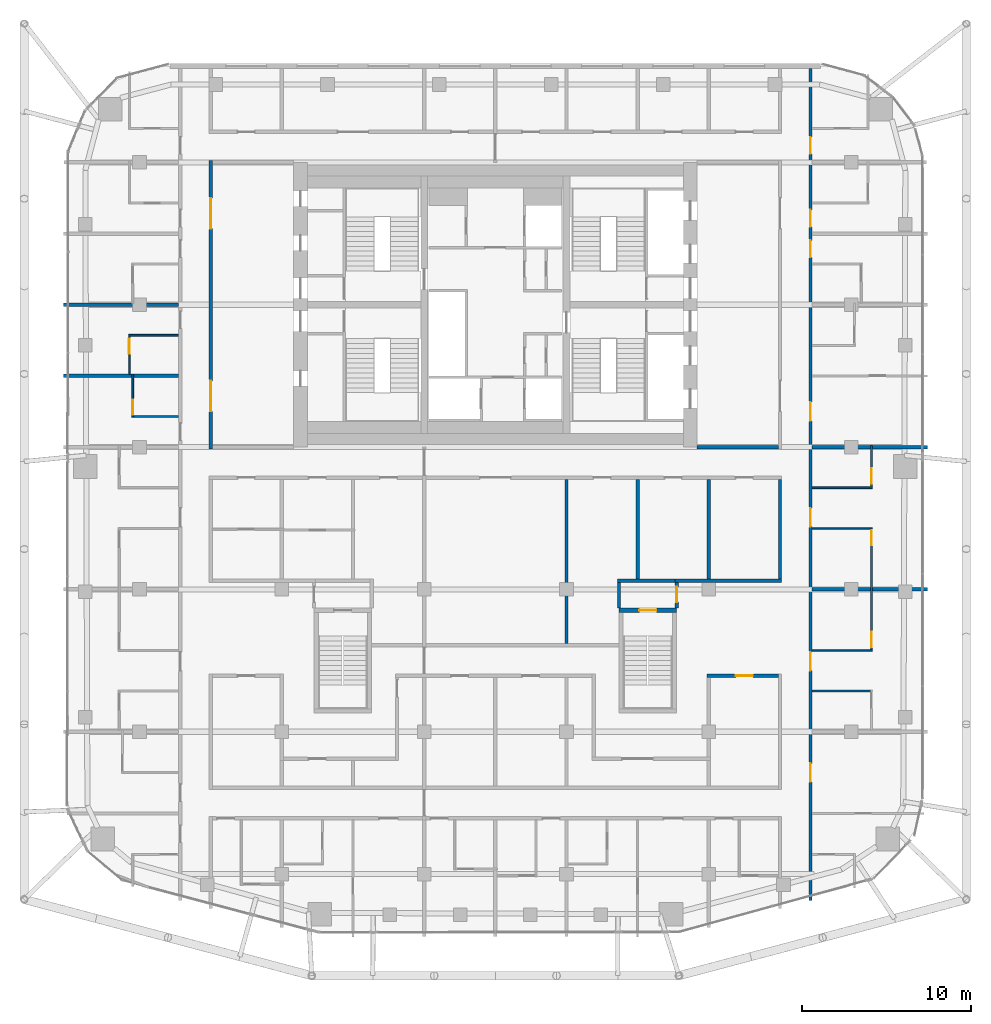
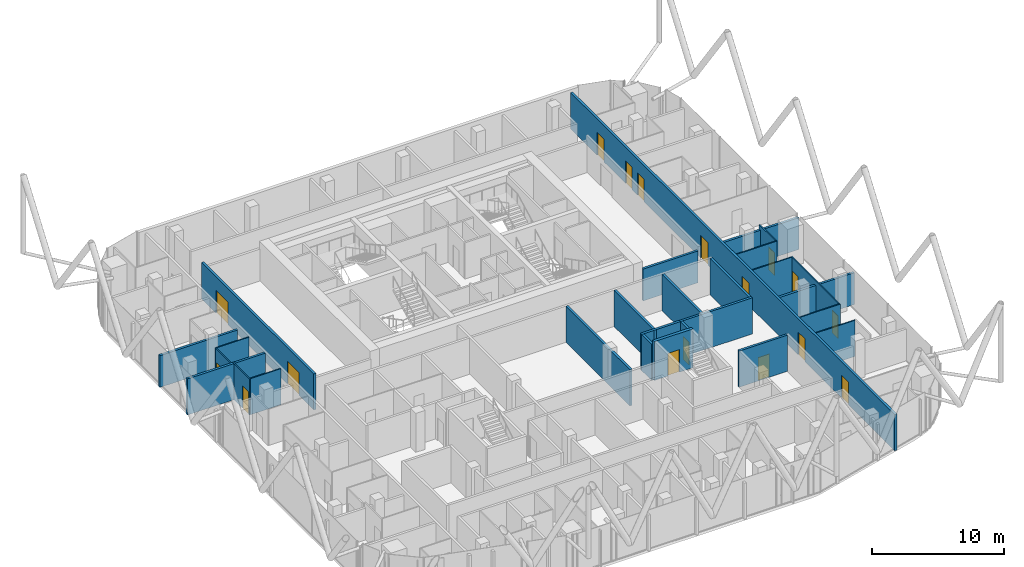
# One storey, part 26 of 31: 27 walls, 17 doors, 17 openings.
"""IFC4 building model written with IfcOpenShell, lengths in metres."""

from ifc_helpers import new_model, si_unit, direction, frame, frame_2d, origin, place, context, subcontext, project, spatial, rectangle, extrude, material, layer, layer_set, type_object, element, fill, save


model = new_model("IFC4")

# Units and contexts
model_context = context("Model", 3, precision=1e-05, world=origin(), true_north=direction((0.0, 1.0)))
body_context = subcontext(model_context, "Body", "Model", "MODEL_VIEW")
ifc_project = project(units=[si_unit("LENGTHUNIT", "METRE"), si_unit("AREAUNIT", "SQUARE_METRE"), si_unit("VOLUMEUNIT", "CUBIC_METRE"), si_unit("PLANEANGLEUNIT", "RADIAN"), si_unit("MASSUNIT", "GRAM", prefix="KILO")], contexts=[model_context])

# Site, building, storey
site_placement = place(None, origin())
site = spatial("IfcSite", under=ifc_project, at=site_placement, CompositionType="ELEMENT")
building_placement = place(site_placement, origin())
building = spatial("IfcBuilding", under=site, at=building_placement, Name="Marenta Gate Hotel Tower", CompositionType="ELEMENT")
storey_placement = place(building_placement, frame((0.0, 0.0, 234.5)))
storey = spatial("IfcBuildingStorey", under=building, at=storey_placement, Name="L55", CompositionType="ELEMENT", Elevation=234.5)

# Wall, openings, doors
ifc_material_1 = material(Name="Concrete blockwork", Category="masonry")
ifc_layer_1 = layer(ifc_material_1, 0.199951171875)
ifc_layer_set_1 = layer_set([ifc_layer_1], Name="Concrete blockwork")
wall_type_1 = type_object("IfcWallType", Name="Core boundary wall 200 REI 180", PredefinedType="PARTITIONING", material=ifc_layer_set_1)
wall_1_placement = place(storey_placement, frame((-16.800048828125, -0.10009765625, 0.0), z_axis=(0.0, 0.0, 1.0), x_axis=(0.0, 1.0, 0.0)))
wall_1 = element("IfcWall", 1, at=wall_1_placement, inside=storey, type_object=wall_type_1, Name="L55-CP-BW-W", PredefinedType="PARTITIONING", context=body_context, shape_type="SweptSolid", body=[
    extrude(rectangle(XDim=17.0, YDim=0.199951171875, at=frame_2d((8.5, 0.0))), origin(), (0.0, 0.0, 1.0), 3.340087890625),
])
opening_1_placement = place(wall_1_placement, frame((2.199951171875, 0.0, 0.0)))
opening_1 = element("IfcOpeningElement", 2, at=opening_1_placement, cuts=wall_1, Name="Opening ED-Wa-B", PredefinedType="OPENING", context=body_context, shape_type="SweptSolid", body=[
    extrude(rectangle(XDim=1.800048828125, YDim=2.10009765625, at=frame_2d((0.89990234375, 1.050048828125))), frame((0.0, 0.10009765625, 0.0), z_axis=(0.0, -1.0, 0.0), x_axis=(1.0, 0.0, 0.0)), (0.0, 0.0, 1.0), 0.199951171875),
])
opening_2_placement = place(wall_1_placement, frame((13.0, 0.0, 0.0)))
opening_2 = element("IfcOpeningElement", 3, at=opening_2_placement, cuts=wall_1, Name="Opening ED-Wb-B", PredefinedType="OPENING", context=body_context, shape_type="SweptSolid", body=[
    extrude(rectangle(XDim=1.800048828125, YDim=2.10009765625, at=frame_2d((0.89990234375, 1.050048828125))), frame((0.0, 0.10009765625, 0.0), z_axis=(0.0, -1.0, 0.0), x_axis=(1.0, 0.0, 0.0)), (0.0, 0.0, 1.0), 0.199951171875),
])
ifc_material_2 = material(Name="Steel", Category="steel")
door_type_1 = type_object("IfcDoorType", Name="Core lobby entrance door 1800x2100 EI 60", OperationType="DOUBLE_DOOR_SINGLE_SWING", PredefinedType="DOOR", material=ifc_material_2)
door_1_placement = place(opening_1_placement, origin())
door_1 = element("IfcDoor", 4, at=door_1_placement, inside=storey, type_object=door_type_1, Name="ED-Wa-B", OperationType="DOUBLE_DOOR_SINGLE_SWING", OverallHeight=2.10009765625, OverallWidth=1.800048828125, PredefinedType="DOOR", context=body_context, shape_type="SweptSolid", body=[
    extrude(rectangle(XDim=1.800048828125, YDim=2.10009765625, at=frame_2d((0.89990234375, 1.050048828125))), frame((0.0, 0.02490234375, 0.0), z_axis=(0.0, -1.0, 0.0), x_axis=(1.0, 0.0, 0.0)), (0.0, 0.0, 1.0), 0.050048828125),
])
fill(opening_1, door_1)
door_2_placement = place(opening_2_placement, origin())
door_2 = element("IfcDoor", 5, at=door_2_placement, inside=storey, type_object=door_type_1, Name="ED-Wb-B", OperationType="DOUBLE_DOOR_SINGLE_SWING", OverallHeight=2.10009765625, OverallWidth=1.800048828125, PredefinedType="DOOR", context=body_context, shape_type="SweptSolid", body=[
    extrude(rectangle(XDim=1.800048828125, YDim=2.10009765625, at=frame_2d((0.89990234375, 1.050048828125))), frame((0.0, 0.02490234375, 0.0), z_axis=(0.0, -1.0, 0.0), x_axis=(1.0, 0.0, 0.0)), (0.0, 0.0, 1.0), 0.050048828125),
])
fill(opening_2, door_2)

# Wall
wall_2_placement = place(storey_placement, frame((11.89990234375, 0.0, 0.0), z_axis=(0.0, 0.0, 1.0), x_axis=(1.0, 0.0, 0.0)))
element("IfcWall", 6, at=wall_2_placement, inside=storey, type_object=wall_type_1, Name="L55-CP-EW-ES", PredefinedType="PARTITIONING", context=body_context, shape_type="SweptSolid", body=[
    extrude(rectangle(XDim=4.800048828125, YDim=0.199951171875, at=frame_2d((2.39990234375, 0.0))), origin(), (0.0, 0.0, 1.0), 2.93994140625),
])

# Wall, opening, door
ifc_material_3 = material(Name="Concrete C40", Category="concrete")
ifc_layer_2 = layer(ifc_material_3, 0.25)
ifc_layer_set_2 = layer_set([ifc_layer_2], Name="Concrete C40")
wall_type_2 = type_object("IfcWallType", Name="Remote stair enclosure wall 250 REI 180", PredefinedType="SHEAR", material=ifc_layer_set_2)
wall_3_placement = place(storey_placement, frame((7.300048828125, -9.625, 0.10009765625), z_axis=(0.0, 0.0, 1.0), x_axis=(1.0, 0.0, 0.0)))
wall_3 = element("IfcWall", 7, at=wall_3_placement, inside=storey, type_object=wall_type_2, Name="L55-RS-Z3-2-W2", PredefinedType="SHEAR", context=body_context, shape_type="SweptSolid", body=[
    extrude(rectangle(XDim=3.39990234375, YDim=0.25, at=frame_2d((1.699951171875, 0.0))), origin(), (0.0, 0.0, 1.0), 3.599853515625),
])
opening_3_placement = place(wall_3_placement, frame((1.199951171875, 0.0, 0.0)))
opening_3 = element("IfcOpeningElement", 8, at=opening_3_placement, cuts=wall_3, Name="Opening VD", PredefinedType="OPENING", context=body_context, shape_type="SweptSolid", body=[
    extrude(rectangle(XDim=1.0, YDim=2.10009765625, at=frame_2d((0.5, 1.050048828125))), frame((0.0, 0.125, 0.0), z_axis=(0.0, -1.0, 0.0), x_axis=(1.0, 0.0, 0.0)), (0.0, 0.0, 1.0), 0.25),
])
ifc_material_4 = material(Name="Steel", Category="steel")
door_type_2 = type_object("IfcDoorType", Name="Stair vestibule door 1000x2100 FD60", OperationType="SINGLE_SWING_LEFT", PredefinedType="DOOR", material=ifc_material_4)
door_3_placement = place(opening_3_placement, origin())
door_3 = element("IfcDoor", 9, at=door_3_placement, inside=storey, type_object=door_type_2, Name="VD", OperationType="SINGLE_SWING_LEFT", OverallHeight=2.10009765625, OverallWidth=1.0, PredefinedType="DOOR", context=body_context, shape_type="SweptSolid", body=[
    extrude(rectangle(XDim=1.0, YDim=2.10009765625, at=frame_2d((0.5, 1.050048828125))), frame((0.0, 0.02490234375, 0.0), z_axis=(0.0, -1.0, 0.0), x_axis=(1.0, 0.0, 0.0)), (0.0, 0.0, 1.0), 0.050048828125),
])
fill(opening_3, door_3)

# Wall, openings, doors
ifc_material_5 = material(Name="Gypsum board on steel stud", Category="steel")
ifc_layer_3 = layer(ifc_material_5, 0.199951171875)
ifc_layer_set_3 = layer_set([ifc_layer_3], Name="Gypsum board on steel stud")
wall_type_3 = type_object("IfcWallType", Name="Room corridor wall 200 EI 60", PredefinedType="PARTITIONING", material=ifc_layer_set_3)
wall_4_placement = place(storey_placement, frame((18.60009765625, -26.7509765625, 0.0), z_axis=(0.0, 0.0, 1.0), x_axis=(0.0, 1.0, 0.0)))
wall_4 = element("IfcWall", 10, at=wall_4_placement, inside=storey, type_object=wall_type_3, Name="L55-PTN-W023", PredefinedType="PARTITIONING", context=body_context, shape_type="SweptSolid", body=[
    extrude(rectangle(XDim=49.091064453125, YDim=0.199951171875, at=frame_2d((24.54541015625, 0.0))), origin(), (0.0, 0.0, 1.0), 3.340087890625),
])
opening_4_placement = place(wall_4_placement, frame((6.988037109375, 0.0, 0.0)))
opening_4 = element("IfcOpeningElement", 11, at=opening_4_placement, cuts=wall_4, Name="Opening G20-17", PredefinedType="OPENING", context=body_context, shape_type="SweptSolid", body=[
    extrude(rectangle(XDim=1.10009765625, YDim=2.10009765625, at=frame_2d((0.550048828125, 1.050048828125))), frame((0.0, 0.10009765625, 0.0), z_axis=(0.0, -1.0, 0.0), x_axis=(1.0, 0.0, 0.0)), (0.0, 0.0, 1.0), 0.199951171875),
])
opening_5_placement = place(wall_4_placement, frame((13.551025390625, 0.0, 0.0)))
opening_5 = element("IfcOpeningElement", 12, at=opening_5_placement, cuts=wall_4, Name="Opening G20-20", PredefinedType="OPENING", context=body_context, shape_type="SweptSolid", body=[
    extrude(rectangle(XDim=1.10009765625, YDim=2.10009765625, at=frame_2d((0.550048828125, 1.050048828125))), frame((0.0, 0.10009765625, 0.0), z_axis=(0.0, -1.0, 0.0), x_axis=(1.0, 0.0, 0.0)), (0.0, 0.0, 1.0), 0.199951171875),
])
opening_6_placement = place(wall_4_placement, frame((22.051025390625, 0.0, 0.0)))
opening_6 = element("IfcOpeningElement", 13, at=opening_6_placement, cuts=wall_4, Name="Opening G20-23", PredefinedType="OPENING", context=body_context, shape_type="SweptSolid", body=[
    extrude(rectangle(XDim=1.10009765625, YDim=2.10009765625, at=frame_2d((0.550048828125, 1.050048828125))), frame((0.0, 0.10009765625, 0.0), z_axis=(0.0, -1.0, 0.0), x_axis=(1.0, 0.0, 0.0)), (0.0, 0.0, 1.0), 0.199951171875),
])
opening_7_placement = place(wall_4_placement, frame((28.301025390625, 0.0, 0.0)))
opening_7 = element("IfcOpeningElement", 14, at=opening_7_placement, cuts=wall_4, Name="Opening G20-26", PredefinedType="OPENING", context=body_context, shape_type="SweptSolid", body=[
    extrude(rectangle(XDim=1.10009765625, YDim=2.10009765625, at=frame_2d((0.550048828125, 1.050048828125))), frame((0.0, 0.10009765625, 0.0), z_axis=(0.0, -1.0, 0.0), x_axis=(1.0, 0.0, 0.0)), (0.0, 0.0, 1.0), 0.199951171875),
])
opening_8_placement = place(wall_4_placement, frame((37.950927734375, 0.0, 0.0)))
opening_8 = element("IfcOpeningElement", 15, at=opening_8_placement, cuts=wall_4, Name="Opening G20-29", PredefinedType="OPENING", context=body_context, shape_type="SweptSolid", body=[
    extrude(rectangle(XDim=1.0, YDim=2.10009765625, at=frame_2d((0.5, 1.050048828125))), frame((0.0, 0.10009765625, 0.0), z_axis=(0.0, -1.0, 0.0), x_axis=(1.0, 0.0, 0.0)), (0.0, 0.0, 1.0), 0.199951171875),
])
opening_9_placement = place(wall_4_placement, frame((39.7509765625, 0.0, 0.0)))
opening_9 = element("IfcOpeningElement", 16, at=opening_9_placement, cuts=wall_4, Name="Opening G20-31", PredefinedType="OPENING", context=body_context, shape_type="SweptSolid", body=[
    extrude(rectangle(XDim=1.0, YDim=2.10009765625, at=frame_2d((0.5, 1.050048828125))), frame((0.0, 0.10009765625, 0.0), z_axis=(0.0, -1.0, 0.0), x_axis=(1.0, 0.0, 0.0)), (0.0, 0.0, 1.0), 0.199951171875),
])
opening_10_placement = place(wall_4_placement, frame((44.051025390625, 0.0, 0.0)))
opening_10 = element("IfcOpeningElement", 17, at=opening_10_placement, cuts=wall_4, Name="Opening G20-33", PredefinedType="OPENING", context=body_context, shape_type="SweptSolid", body=[
    extrude(rectangle(XDim=1.0, YDim=2.10009765625, at=frame_2d((0.5, 1.050048828125))), frame((0.0, 0.10009765625, 0.0), z_axis=(0.0, -1.0, 0.0), x_axis=(1.0, 0.0, 0.0)), (0.0, 0.0, 1.0), 0.199951171875),
])
ifc_material_6 = material(Name="Timber door leaf", Category="wood")
door_type_3 = type_object("IfcDoorType", Name="Guest room door 1000x2100 EI 30", OperationType="NOTDEFINED", PredefinedType="DOOR", material=ifc_material_6)
door_4_placement = place(opening_8_placement, origin())
door_4 = element("IfcDoor", 18, at=door_4_placement, inside=storey, type_object=door_type_3, Name="L55-PD-D029", OperationType="SINGLE_SWING_LEFT", OverallHeight=2.10009765625, OverallWidth=1.0, PredefinedType="DOOR", context=body_context, shape_type="SweptSolid", body=[
    extrude(rectangle(XDim=1.0, YDim=2.10009765625, at=frame_2d((0.5, 1.050048828125))), frame((0.0, 0.02490234375, 0.0), z_axis=(0.0, -1.0, 0.0), x_axis=(1.0, 0.0, 0.0)), (0.0, 0.0, 1.0), 0.050048828125),
])
fill(opening_8, door_4)
door_5_placement = place(opening_9_placement, origin())
door_5 = element("IfcDoor", 19, at=door_5_placement, inside=storey, type_object=door_type_3, Name="L55-PD-D031", OperationType="SINGLE_SWING_LEFT", OverallHeight=2.10009765625, OverallWidth=1.0, PredefinedType="DOOR", context=body_context, shape_type="SweptSolid", body=[
    extrude(rectangle(XDim=1.0, YDim=2.10009765625, at=frame_2d((0.5, 1.050048828125))), frame((0.0, 0.02490234375, 0.0), z_axis=(0.0, -1.0, 0.0), x_axis=(1.0, 0.0, 0.0)), (0.0, 0.0, 1.0), 0.050048828125),
])
fill(opening_9, door_5)
door_6_placement = place(opening_10_placement, origin())
door_6 = element("IfcDoor", 20, at=door_6_placement, inside=storey, type_object=door_type_3, Name="L55-PD-D033", OperationType="SINGLE_SWING_LEFT", OverallHeight=2.10009765625, OverallWidth=1.0, PredefinedType="DOOR", context=body_context, shape_type="SweptSolid", body=[
    extrude(rectangle(XDim=1.0, YDim=2.10009765625, at=frame_2d((0.5, 1.050048828125))), frame((0.0, 0.02490234375, 0.0), z_axis=(0.0, -1.0, 0.0), x_axis=(1.0, 0.0, 0.0)), (0.0, 0.0, 1.0), 0.050048828125),
])
fill(opening_10, door_6)
ifc_material_7 = material(Name="Timber door leaf", Category="wood")
door_type_4 = type_object("IfcDoorType", Name="Guest room door 1100x2100 EI 30", OperationType="NOTDEFINED", PredefinedType="DOOR", material=ifc_material_7)
door_7_placement = place(opening_4_placement, origin())
door_7 = element("IfcDoor", 21, at=door_7_placement, inside=storey, type_object=door_type_4, Name="L55-PD-D017", OperationType="SINGLE_SWING_LEFT", OverallHeight=2.10009765625, OverallWidth=1.10009765625, PredefinedType="DOOR", context=body_context, shape_type="SweptSolid", body=[
    extrude(rectangle(XDim=1.10009765625, YDim=2.10009765625, at=frame_2d((0.550048828125, 1.050048828125))), frame((0.0, 0.02490234375, 0.0), z_axis=(0.0, -1.0, 0.0), x_axis=(1.0, 0.0, 0.0)), (0.0, 0.0, 1.0), 0.050048828125),
])
fill(opening_4, door_7)
door_8_placement = place(opening_5_placement, origin())
door_8 = element("IfcDoor", 22, at=door_8_placement, inside=storey, type_object=door_type_4, Name="L55-PD-D020", OperationType="SINGLE_SWING_LEFT", OverallHeight=2.10009765625, OverallWidth=1.10009765625, PredefinedType="DOOR", context=body_context, shape_type="SweptSolid", body=[
    extrude(rectangle(XDim=1.10009765625, YDim=2.10009765625, at=frame_2d((0.550048828125, 1.050048828125))), frame((0.0, 0.02490234375, 0.0), z_axis=(0.0, -1.0, 0.0), x_axis=(1.0, 0.0, 0.0)), (0.0, 0.0, 1.0), 0.050048828125),
])
fill(opening_5, door_8)
door_9_placement = place(opening_6_placement, origin())
door_9 = element("IfcDoor", 23, at=door_9_placement, inside=storey, type_object=door_type_4, Name="L55-PD-D023", OperationType="SINGLE_SWING_RIGHT", OverallHeight=2.10009765625, OverallWidth=1.10009765625, PredefinedType="DOOR", context=body_context, shape_type="SweptSolid", body=[
    extrude(rectangle(XDim=1.10009765625, YDim=2.10009765625, at=frame_2d((0.550048828125, 1.050048828125))), frame((0.0, 0.02490234375, 0.0), z_axis=(0.0, -1.0, 0.0), x_axis=(1.0, 0.0, 0.0)), (0.0, 0.0, 1.0), 0.050048828125),
])
fill(opening_6, door_9)
door_10_placement = place(opening_7_placement, origin())
door_10 = element("IfcDoor", 24, at=door_10_placement, inside=storey, type_object=door_type_4, Name="L55-PD-D026", OperationType="SINGLE_SWING_RIGHT", OverallHeight=2.10009765625, OverallWidth=1.10009765625, PredefinedType="DOOR", context=body_context, shape_type="SweptSolid", body=[
    extrude(rectangle(XDim=1.10009765625, YDim=2.10009765625, at=frame_2d((0.550048828125, 1.050048828125))), frame((0.0, 0.02490234375, 0.0), z_axis=(0.0, -1.0, 0.0), x_axis=(1.0, 0.0, 0.0)), (0.0, 0.0, 1.0), 0.050048828125),
])
fill(opening_7, door_10)

# Wall
wall_5_placement = place(storey_placement, frame((16.800048828125, -7.800048828125, 0.0), z_axis=(0.0, 0.0, 1.0), x_axis=(0.0, 1.0, 0.0)))
element("IfcWall", 25, at=wall_5_placement, inside=storey, type_object=wall_type_3, Name="L55-PTN-W028", PredefinedType="PARTITIONING", context=body_context, shape_type="SweptSolid", body=[
    extrude(rectangle(XDim=5.900146484375, YDim=0.199951171875, at=frame_2d((2.9501953125, 0.0))), origin(), (0.0, 0.0, 1.0), 3.340087890625),
])

# Wall, opening, door
wall_6_placement = place(storey_placement, frame((12.5, -13.5, 0.0), z_axis=(0.0, 0.0, 1.0), x_axis=(1.0, 0.0, 0.0)))
wall_6 = element("IfcWall", 26, at=wall_6_placement, inside=storey, type_object=wall_type_3, Name="L55-PTN-W037", PredefinedType="PARTITIONING", context=body_context, shape_type="SweptSolid", body=[
    extrude(rectangle(XDim=4.199951171875, YDim=0.199951171875, at=frame_2d((2.10009765625, 0.0))), origin(), (0.0, 0.0, 1.0), 3.340087890625),
])
opening_11_placement = place(wall_6_placement, frame((1.699951171875, 0.0, 0.0)))
opening_11 = element("IfcOpeningElement", 27, at=opening_11_placement, cuts=wall_6, Name="Opening G20-16", PredefinedType="OPENING", context=body_context, shape_type="SweptSolid", body=[
    extrude(rectangle(XDim=1.0, YDim=2.10009765625, at=frame_2d((0.5, 1.050048828125))), frame((0.0, 0.10009765625, 0.0), z_axis=(0.0, -1.0, 0.0), x_axis=(1.0, 0.0, 0.0)), (0.0, 0.0, 1.0), 0.199951171875),
])
ifc_material_8 = material(Name="Timber door leaf", Category="wood")
door_type_5 = type_object("IfcDoorType", Name="Room amenity door 1000x2100 EI 30", OperationType="NOTDEFINED", PredefinedType="DOOR", material=ifc_material_8)
door_11_placement = place(opening_11_placement, origin())
door_11 = element("IfcDoor", 28, at=door_11_placement, inside=storey, type_object=door_type_5, Name="L55-PD-D016", OperationType="SINGLE_SWING_RIGHT", OverallHeight=2.10009765625, OverallWidth=1.0, PredefinedType="DOOR", context=body_context, shape_type="SweptSolid", body=[
    extrude(rectangle(XDim=1.0, YDim=2.10009765625, at=frame_2d((0.5, 1.050048828125))), frame((0.0, 0.02490234375, 0.0), z_axis=(0.0, -1.0, 0.0), x_axis=(1.0, 0.0, 0.0)), (0.0, 0.0, 1.0), 0.050048828125),
])
fill(opening_11, door_11)

# Wall
wall_7_placement = place(storey_placement, frame((10.60009765625, -7.89990234375, 0.0), z_axis=(0.0, 0.0, 1.0), x_axis=(1.0, 0.0, 0.0)))
element("IfcWall", 29, at=wall_7_placement, inside=storey, type_object=wall_type_3, Name="L55-PTN-W053", PredefinedType="PARTITIONING", context=body_context, shape_type="SweptSolid", body=[
    extrude(rectangle(XDim=6.2998046875, YDim=0.199951171875, at=frame_2d((3.14990234375, 0.0))), origin(), (0.0, 0.0, 1.0), 3.340087890625),
])

# Wall, opening, door
ifc_material_9 = material(Name="Concrete blockwork", Category="masonry")
ifc_layer_4 = layer(ifc_material_9, 0.199951171875)
ifc_layer_set_4 = layer_set([ifc_layer_4], Name="Concrete blockwork")
wall_type_4 = type_object("IfcWallType", Name="Room corridor wall 200 REI 180", PredefinedType="PARTITIONING", material=ifc_layer_set_4)
wall_8_placement = place(storey_placement, frame((10.699951171875, -9.5, 0.0), z_axis=(0.0, 0.0, 1.0), x_axis=(0.0, 1.0, 0.0)))
wall_8 = element("IfcWall", 30, at=wall_8_placement, inside=storey, type_object=wall_type_4, Name="L55-PTN-W046", PredefinedType="PARTITIONING", context=body_context, shape_type="SweptSolid", body=[
    extrude(rectangle(XDim=1.5, YDim=0.199951171875, at=frame_2d((0.75, 0.0))), origin(), (0.0, 0.0, 1.0), 3.340087890625),
])
opening_12_placement = place(wall_8_placement, frame((0.35009765625, 0.0, 0.0)))
opening_12 = element("IfcOpeningElement", 31, at=opening_12_placement, cuts=wall_8, Name="Opening G20-73", PredefinedType="OPENING", context=body_context, shape_type="SweptSolid", body=[
    extrude(rectangle(XDim=0.89990234375, YDim=2.10009765625, at=frame_2d((0.449951171875, 1.050048828125))), frame((0.0, 0.10009765625, 0.0), z_axis=(0.0, -1.0, 0.0), x_axis=(1.0, 0.0, 0.0)), (0.0, 0.0, 1.0), 0.199951171875),
])
ifc_material_10 = material(Name="Hollow steel door set", Category="steel")
door_type_6 = type_object("IfcDoorType", Name="Stair vestibule door 900x2100 EI 60", OperationType="NOTDEFINED", PredefinedType="DOOR", material=ifc_material_10)
door_12_placement = place(opening_12_placement, origin())
door_12 = element("IfcDoor", 32, at=door_12_placement, inside=storey, type_object=door_type_6, Name="L55-PD-D073", OperationType="SINGLE_SWING_RIGHT", OverallHeight=2.10009765625, OverallWidth=0.89990234375, PredefinedType="DOOR", context=body_context, shape_type="SweptSolid", body=[
    extrude(rectangle(XDim=0.89990234375, YDim=2.10009765625, at=frame_2d((0.449951171875, 1.050048828125))), frame((0.0, 0.02490234375, 0.0), z_axis=(0.0, -1.0, 0.0), x_axis=(1.0, 0.0, 0.0)), (0.0, 0.0, 1.0), 0.050048828125),
])
fill(opening_12, door_12)

# Wall, openings, doors
ifc_material_11 = material(Name="Gypsum board on steel stud", Category="steel")
ifc_layer_5 = layer(ifc_material_11, 0.10009765625)
ifc_layer_set_5 = layer_set([ifc_layer_5], Name="Gypsum board on steel stud")
wall_type_5 = type_object("IfcWallType", Name="Room partition 100", PredefinedType="PARTITIONING", material=ifc_layer_set_5)
wall_9_placement = place(storey_placement, frame((22.199951171875, -11.949951171875, 0.0), z_axis=(0.0, 0.0, 1.0), x_axis=(0.0, 1.0, 0.0)))
wall_9 = element("IfcWall", 33, at=wall_9_placement, inside=storey, type_object=wall_type_5, Name="L55-PTN-W011", PredefinedType="PARTITIONING", context=body_context, shape_type="SweptSolid", body=[
    extrude(rectangle(XDim=7.199951171875, YDim=0.10009765625, at=frame_2d((3.60009765625, 0.0))), origin(), (0.0, 0.0, 1.0), 3.340087890625),
])
opening_13_placement = place(wall_9_placement, frame((0.14990234375, 0.0, 0.0)))
opening_13 = element("IfcOpeningElement", 34, at=opening_13_placement, cuts=wall_9, Name="Opening G20-21", PredefinedType="OPENING", context=body_context, shape_type="SweptSolid", body=[
    extrude(rectangle(XDim=0.89990234375, YDim=2.10009765625, at=frame_2d((0.449951171875, 1.050048828125))), frame((0.0, 0.050048828125, 0.0), z_axis=(0.0, -1.0, 0.0), x_axis=(1.0, 0.0, 0.0)), (0.0, 0.0, 1.0), 0.10009765625),
])
opening_14_placement = place(wall_9_placement, frame((6.14990234375, 0.0, 0.0)))
opening_14 = element("IfcOpeningElement", 35, at=opening_14_placement, cuts=wall_9, Name="Opening G20-24", PredefinedType="OPENING", context=body_context, shape_type="SweptSolid", body=[
    extrude(rectangle(XDim=0.89990234375, YDim=2.10009765625, at=frame_2d((0.449951171875, 1.050048828125))), frame((0.0, 0.050048828125, 0.0), z_axis=(0.0, -1.0, 0.0), x_axis=(1.0, 0.0, 0.0)), (0.0, 0.0, 1.0), 0.10009765625),
])
ifc_material_12 = material(Name="Timber door leaf", Category="wood")
door_type_7 = type_object("IfcDoorType", Name="Guest bathroom door 900x2100", OperationType="NOTDEFINED", PredefinedType="DOOR", material=ifc_material_12)
door_13_placement = place(opening_13_placement, origin())
door_13 = element("IfcDoor", 36, at=door_13_placement, inside=storey, type_object=door_type_7, Name="L55-PD-D021", OperationType="SINGLE_SWING_LEFT", OverallHeight=2.10009765625, OverallWidth=0.89990234375, PredefinedType="DOOR", context=body_context, shape_type="SweptSolid", body=[
    extrude(rectangle(XDim=0.89990234375, YDim=2.10009765625, at=frame_2d((0.449951171875, 1.050048828125))), frame((0.0, 0.02490234375, 0.0), z_axis=(0.0, -1.0, 0.0), x_axis=(1.0, 0.0, 0.0)), (0.0, 0.0, 1.0), 0.050048828125),
])
fill(opening_13, door_13)
door_14_placement = place(opening_14_placement, origin())
door_14 = element("IfcDoor", 37, at=door_14_placement, inside=storey, type_object=door_type_7, Name="L55-PD-D024", OperationType="SINGLE_SWING_RIGHT", OverallHeight=2.10009765625, OverallWidth=0.89990234375, PredefinedType="DOOR", context=body_context, shape_type="SweptSolid", body=[
    extrude(rectangle(XDim=0.89990234375, YDim=2.10009765625, at=frame_2d((0.449951171875, 1.050048828125))), frame((0.0, 0.02490234375, 0.0), z_axis=(0.0, -1.0, 0.0), x_axis=(1.0, 0.0, 0.0)), (0.0, 0.0, 1.0), 0.050048828125),
])
fill(opening_14, door_14)

# Wall, opening, door
wall_10_placement = place(storey_placement, frame((22.199951171875, -2.35009765625, 0.0), z_axis=(0.0, 0.0, 1.0), x_axis=(0.0, 1.0, 0.0)))
wall_10 = element("IfcWall", 38, at=wall_10_placement, inside=storey, type_object=wall_type_5, Name="L55-PTN-W012", PredefinedType="PARTITIONING", context=body_context, shape_type="SweptSolid", body=[
    extrude(rectangle(XDim=2.4501953125, YDim=0.10009765625, at=frame_2d((1.22509765625, 0.0))), origin(), (0.0, 0.0, 1.0), 3.340087890625),
])
opening_15_placement = place(wall_10_placement, frame((0.199951171875, 0.0, 0.0)))
opening_15 = element("IfcOpeningElement", 39, at=opening_15_placement, cuts=wall_10, Name="Opening G20-25", PredefinedType="OPENING", context=body_context, shape_type="SweptSolid", body=[
    extrude(rectangle(XDim=0.89990234375, YDim=2.10009765625, at=frame_2d((0.449951171875, 1.050048828125))), frame((0.0, 0.050048828125, 0.0), z_axis=(0.0, -1.0, 0.0), x_axis=(1.0, 0.0, 0.0)), (0.0, 0.0, 1.0), 0.10009765625),
])
ifc_material_13 = material(Name="Timber door leaf", Category="wood")
door_type_8 = type_object("IfcDoorType", Name="Room inner door 900x2100", OperationType="NOTDEFINED", PredefinedType="DOOR", material=ifc_material_13)
door_15_placement = place(opening_15_placement, origin())
door_15 = element("IfcDoor", 40, at=door_15_placement, inside=storey, type_object=door_type_8, Name="L55-PD-D025", OperationType="SINGLE_SWING_LEFT", OverallHeight=2.10009765625, OverallWidth=0.89990234375, PredefinedType="DOOR", context=body_context, shape_type="SweptSolid", body=[
    extrude(rectangle(XDim=0.89990234375, YDim=2.10009765625, at=frame_2d((0.449951171875, 1.050048828125))), frame((0.0, 0.02490234375, 0.0), z_axis=(0.0, -1.0, 0.0), x_axis=(1.0, 0.0, 0.0)), (0.0, 0.0, 1.0), 0.050048828125),
])
fill(opening_15, door_15)

# Walls
wall_11_placement = place(storey_placement, frame((18.699951171875, -14.39990234375, 0.0), z_axis=(0.0, 0.0, 1.0), x_axis=(1.0, 0.0, 0.0)))
element("IfcWall", 41, at=wall_11_placement, inside=storey, type_object=wall_type_5, Name="L55-PTN-W034", PredefinedType="PARTITIONING", context=body_context, shape_type="SweptSolid", body=[
    extrude(rectangle(XDim=3.449951171875, YDim=0.10009765625, at=frame_2d((1.72509765625, 0.0))), origin(), (0.0, 0.0, 1.0), 3.340087890625),
])
wall_12_placement = place(storey_placement, frame((18.699951171875, -12.0, 0.0), z_axis=(0.0, 0.0, 1.0), x_axis=(1.0, 0.0, 0.0)))
element("IfcWall", 42, at=wall_12_placement, inside=storey, type_object=wall_type_5, Name="L55-PTN-W044", PredefinedType="PARTITIONING", context=body_context, shape_type="SweptSolid", body=[
    extrude(rectangle(XDim=3.550048828125, YDim=0.10009765625, at=frame_2d((1.77490234375, 0.0))), origin(), (0.0, 0.0, 1.0), 3.340087890625),
])
wall_13_placement = place(storey_placement, frame((18.699951171875, -4.800048828125, 0.0), z_axis=(0.0, 0.0, 1.0), x_axis=(1.0, 0.0, 0.0)))
element("IfcWall", 43, at=wall_13_placement, inside=storey, type_object=wall_type_5, Name="L55-PTN-W062", PredefinedType="PARTITIONING", context=body_context, shape_type="SweptSolid", body=[
    extrude(rectangle(XDim=3.449951171875, YDim=0.10009765625, at=frame_2d((1.72509765625, 0.0))), origin(), (0.0, 0.0, 1.0), 3.340087890625),
])
wall_14_placement = place(storey_placement, frame((18.699951171875, -2.39990234375, 0.0), z_axis=(0.0, 0.0, 1.0), x_axis=(1.0, 0.0, 0.0)))
element("IfcWall", 44, at=wall_14_placement, inside=storey, type_object=wall_type_5, Name="L55-PTN-W069", PredefinedType="PARTITIONING", context=body_context, shape_type="SweptSolid", body=[
    extrude(rectangle(XDim=3.550048828125, YDim=0.10009765625, at=frame_2d((1.77490234375, 0.0))), origin(), (0.0, 0.0, 1.0), 3.340087890625),
])
wall_15_placement = place(storey_placement, frame((-21.35009765625, 1.800048828125, 0.0), z_axis=(0.0, 0.0, 1.0), x_axis=(1.0, 0.0, 0.0)))
element("IfcWall", 45, at=wall_15_placement, inside=storey, type_object=wall_type_5, Name="L55-PTN-W076", PredefinedType="PARTITIONING", context=body_context, shape_type="SweptSolid", body=[
    extrude(rectangle(XDim=2.650146484375, YDim=0.10009765625, at=frame_2d((1.3251953125, 0.0))), origin(), (0.0, 0.0, 1.0), 3.340087890625),
])
wall_16_placement = place(storey_placement, frame((-21.64990234375, 6.60009765625, 0.0), z_axis=(0.0, 0.0, 1.0), x_axis=(1.0, 0.0, 0.0)))
element("IfcWall", 46, at=wall_16_placement, inside=storey, type_object=wall_type_5, Name="L55-PTN-W086", PredefinedType="PARTITIONING", context=body_context, shape_type="SweptSolid", body=[
    extrude(rectangle(XDim=2.949951171875, YDim=0.10009765625, at=frame_2d((1.47509765625, 0.0))), origin(), (0.0, 0.0, 1.0), 3.340087890625),
])

# Wall, opening, door
wall_17_placement = place(storey_placement, frame((-21.39990234375, 1.75, 0.0), z_axis=(0.0, 0.0, 1.0), x_axis=(0.0, 1.0, 0.0)))
wall_17 = element("IfcWall", 47, at=wall_17_placement, inside=storey, type_object=wall_type_5, Name="L55-PTN-W118", PredefinedType="PARTITIONING", context=body_context, shape_type="SweptSolid", body=[
    extrude(rectangle(XDim=2.550048828125, YDim=0.10009765625, at=frame_2d((1.27490234375, 0.0))), origin(), (0.0, 0.0, 1.0), 3.340087890625),
])
opening_16_placement = place(wall_17_placement, frame((0.14990234375, 0.0, 0.0)))
opening_16 = element("IfcOpeningElement", 48, at=opening_16_placement, cuts=wall_17, Name="Opening G20-63", PredefinedType="OPENING", context=body_context, shape_type="SweptSolid", body=[
    extrude(rectangle(XDim=0.89990234375, YDim=2.10009765625, at=frame_2d((0.449951171875, 1.050048828125))), frame((0.0, 0.050048828125, 0.0), z_axis=(0.0, -1.0, 0.0), x_axis=(1.0, 0.0, 0.0)), (0.0, 0.0, 1.0), 0.10009765625),
])
door_16_placement = place(opening_16_placement, origin())
door_16 = element("IfcDoor", 49, at=door_16_placement, inside=storey, type_object=door_type_7, Name="L55-PD-D063", OperationType="SINGLE_SWING_RIGHT", OverallHeight=2.10009765625, OverallWidth=0.89990234375, PredefinedType="DOOR", context=body_context, shape_type="SweptSolid", body=[
    extrude(rectangle(XDim=0.89990234375, YDim=2.10009765625, at=frame_2d((0.449951171875, 1.050048828125))), frame((0.0, 0.02490234375, 0.0), z_axis=(0.0, -1.0, 0.0), x_axis=(1.0, 0.0, 0.0)), (0.0, 0.0, 1.0), 0.050048828125),
])
fill(opening_16, door_16)

wall_18_placement = place(storey_placement, frame((-21.60009765625, 4.300048828125, 0.0), z_axis=(0.0, 0.0, 1.0), x_axis=(0.0, 1.0, 0.0)))
wall_18 = element("IfcWall", 50, at=wall_18_placement, inside=storey, type_object=wall_type_5, Name="L55-PTN-W120", PredefinedType="PARTITIONING", context=body_context, shape_type="SweptSolid", body=[
    extrude(rectangle(XDim=2.25, YDim=0.10009765625, at=frame_2d((1.125, 0.0))), origin(), (0.0, 0.0, 1.0), 3.340087890625),
])
opening_17_placement = place(wall_18_placement, frame((1.199951171875, 0.0, 0.0)))
opening_17 = element("IfcOpeningElement", 51, at=opening_17_placement, cuts=wall_18, Name="Opening G20-65", PredefinedType="OPENING", context=body_context, shape_type="SweptSolid", body=[
    extrude(rectangle(XDim=0.89990234375, YDim=2.10009765625, at=frame_2d((0.449951171875, 1.050048828125))), frame((0.0, 0.050048828125, 0.0), z_axis=(0.0, -1.0, 0.0), x_axis=(1.0, 0.0, 0.0)), (0.0, 0.0, 1.0), 0.10009765625),
])
door_17_placement = place(opening_17_placement, origin())
door_17 = element("IfcDoor", 52, at=door_17_placement, inside=storey, type_object=door_type_7, Name="L55-PD-D065", OperationType="SINGLE_SWING_LEFT", OverallHeight=2.10009765625, OverallWidth=0.89990234375, PredefinedType="DOOR", context=body_context, shape_type="SweptSolid", body=[
    extrude(rectangle(XDim=0.89990234375, YDim=2.10009765625, at=frame_2d((0.449951171875, 1.050048828125))), frame((0.0, 0.02490234375, 0.0), z_axis=(0.0, -1.0, 0.0), x_axis=(1.0, 0.0, 0.0)), (0.0, 0.0, 1.0), 0.050048828125),
])
fill(opening_17, door_17)

# Walls
ifc_material_14 = material(Name="Gypsum board on steel stud", Category="steel")
ifc_layer_6 = layer(ifc_material_14, 0.199951171875)
ifc_layer_set_6 = layer_set([ifc_layer_6], Name="Gypsum board on steel stud")
wall_type_6 = type_object("IfcWallType", Name="Room party wall 200 EI 60", PredefinedType="PARTITIONING", material=ifc_layer_set_6)
wall_19_placement = place(storey_placement, frame((12.60009765625, -7.800048828125, 0.0), z_axis=(0.0, 0.0, 1.0), x_axis=(0.0, 1.0, 0.0)))
element("IfcWall", 53, at=wall_19_placement, inside=storey, type_object=wall_type_6, Name="L55-PTN-W040", PredefinedType="PARTITIONING", context=body_context, shape_type="SweptSolid", body=[
    extrude(rectangle(XDim=5.900146484375, YDim=0.199951171875, at=frame_2d((2.9501953125, 0.0))), origin(), (0.0, 0.0, 1.0), 3.340087890625),
])
wall_20_placement = place(storey_placement, frame((8.39990234375, -8.0, 0.0), z_axis=(0.0, 0.0, 1.0), x_axis=(0.0, 1.0, 0.0)))
element("IfcWall", 54, at=wall_20_placement, inside=storey, type_object=wall_type_6, Name="L55-PTN-W048", PredefinedType="PARTITIONING", context=body_context, shape_type="SweptSolid", body=[
    extrude(rectangle(XDim=6.10009765625, YDim=0.199951171875, at=frame_2d((3.050048828125, 0.0))), origin(), (0.0, 0.0, 1.0), 3.340087890625),
])
wall_21_placement = place(storey_placement, frame((18.699951171875, -8.39990234375, 0.0), z_axis=(0.0, 0.0, 1.0), x_axis=(1.0, 0.0, 0.0)))
element("IfcWall", 55, at=wall_21_placement, inside=storey, type_object=wall_type_6, Name="L55-PTN-W051", PredefinedType="PARTITIONING", context=body_context, shape_type="SweptSolid", body=[
    extrude(rectangle(XDim=6.800048828125, YDim=0.199951171875, at=frame_2d((3.39990234375, 0.0))), origin(), (0.0, 0.0, 1.0), 2.93994140625),
])
wall_22_placement = place(storey_placement, frame((4.199951171875, -11.60009765625, 0.0), z_axis=(0.0, 0.0, 1.0), x_axis=(0.0, 1.0, 0.0)))
element("IfcWall", 56, at=wall_22_placement, inside=storey, type_object=wall_type_6, Name="L55-PTN-W065", PredefinedType="PARTITIONING", context=body_context, shape_type="SweptSolid", body=[
    extrude(rectangle(XDim=9.7001953125, YDim=0.199951171875, at=frame_2d((4.85009765625, 0.0))), origin(), (0.0, 0.0, 1.0), 3.340087890625),
])
wall_23_placement = place(storey_placement, frame((18.699951171875, 0.0, 0.0), z_axis=(0.0, 0.0, 1.0), x_axis=(1.0, 0.0, 0.0)))
element("IfcWall", 57, at=wall_23_placement, inside=storey, type_object=wall_type_6, Name="L55-PTN-W075", PredefinedType="PARTITIONING", context=body_context, shape_type="SweptSolid", body=[
    extrude(rectangle(XDim=6.800048828125, YDim=0.199951171875, at=frame_2d((3.39990234375, 0.0))), origin(), (0.0, 0.0, 1.0), 2.93994140625),
])
wall_24_placement = place(storey_placement, frame((-25.5, 4.199951171875, 0.0), z_axis=(0.0, 0.0, 1.0), x_axis=(1.0, 0.0, 0.0)))
element("IfcWall", 58, at=wall_24_placement, inside=storey, type_object=wall_type_6, Name="L55-PTN-W082", PredefinedType="PARTITIONING", context=body_context, shape_type="SweptSolid", body=[
    extrude(rectangle(XDim=6.800048828125, YDim=0.199951171875, at=frame_2d((3.39990234375, 0.0))), origin(), (0.0, 0.0, 1.0), 3.340087890625),
])
wall_25_placement = place(storey_placement, frame((-25.5, 8.39990234375, 0.0), z_axis=(0.0, 0.0, 1.0), x_axis=(1.0, 0.0, 0.0)))
element("IfcWall", 59, at=wall_25_placement, inside=storey, type_object=wall_type_6, Name="L55-PTN-W091", PredefinedType="PARTITIONING", context=body_context, shape_type="SweptSolid", body=[
    extrude(rectangle(XDim=6.800048828125, YDim=0.199951171875, at=frame_2d((3.39990234375, 0.0))), origin(), (0.0, 0.0, 1.0), 2.93994140625),
])
ifc_material_15 = material(Name="Concrete blockwork", Category="masonry")
ifc_layer_7 = layer(ifc_material_15, 0.199951171875)
ifc_layer_set_7 = layer_set([ifc_layer_7], Name="Concrete blockwork")
wall_type_7 = type_object("IfcWallType", Name="Room party wall 200 REI 180", PredefinedType="PARTITIONING", material=ifc_layer_set_7)
wall_26_placement = place(storey_placement, frame((7.199951171875, -7.89990234375, 0.0), z_axis=(0.0, 0.0, 1.0), x_axis=(1.0, 0.0, 0.0)))
element("IfcWall", 60, at=wall_26_placement, inside=storey, type_object=wall_type_7, Name="L55-PTN-W055", PredefinedType="PARTITIONING", context=body_context, shape_type="SweptSolid", body=[
    extrude(rectangle(XDim=3.400146484375, YDim=0.199951171875, at=frame_2d((1.7001953125, 0.0))), origin(), (0.0, 0.0, 1.0), 3.340087890625),
])
wall_27_placement = place(storey_placement, frame((7.300048828125, -9.5, 0.0), z_axis=(0.0, 0.0, 1.0), x_axis=(0.0, 1.0, 0.0)))
element("IfcWall", 61, at=wall_27_placement, inside=storey, type_object=wall_type_7, Name="L55-PTN-W056", PredefinedType="PARTITIONING", context=body_context, shape_type="SweptSolid", body=[
    extrude(rectangle(XDim=1.5, YDim=0.199951171875, at=frame_2d((0.75, 0.0))), origin(), (0.0, 0.0, 1.0), 3.340087890625),
])

save(model, "model.ifc")
